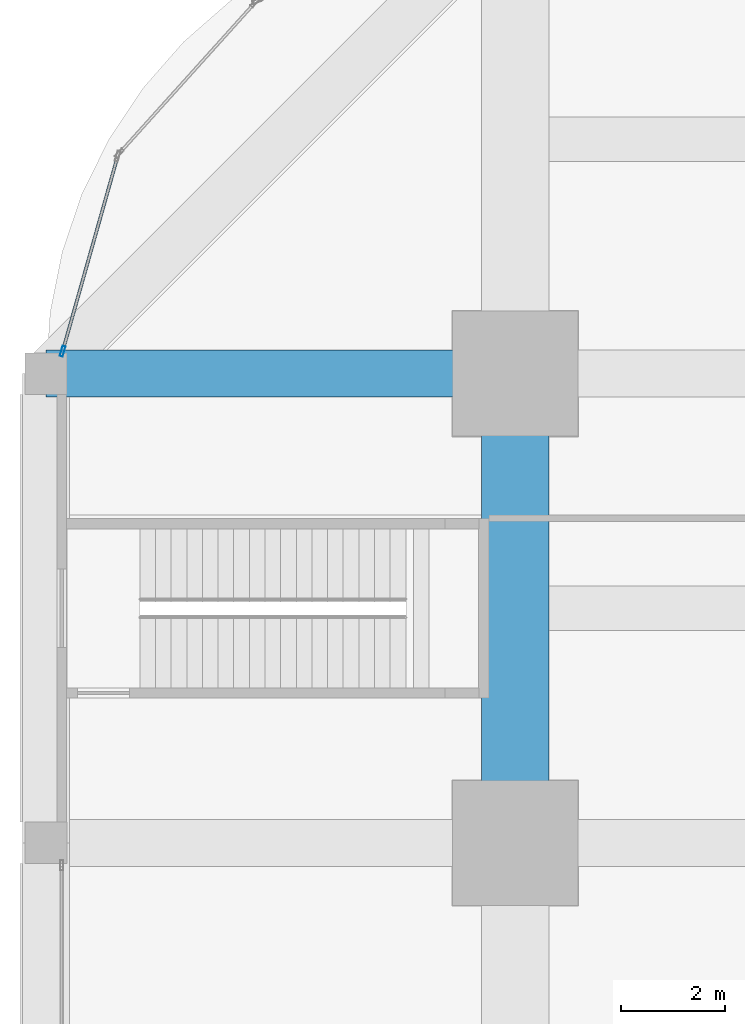
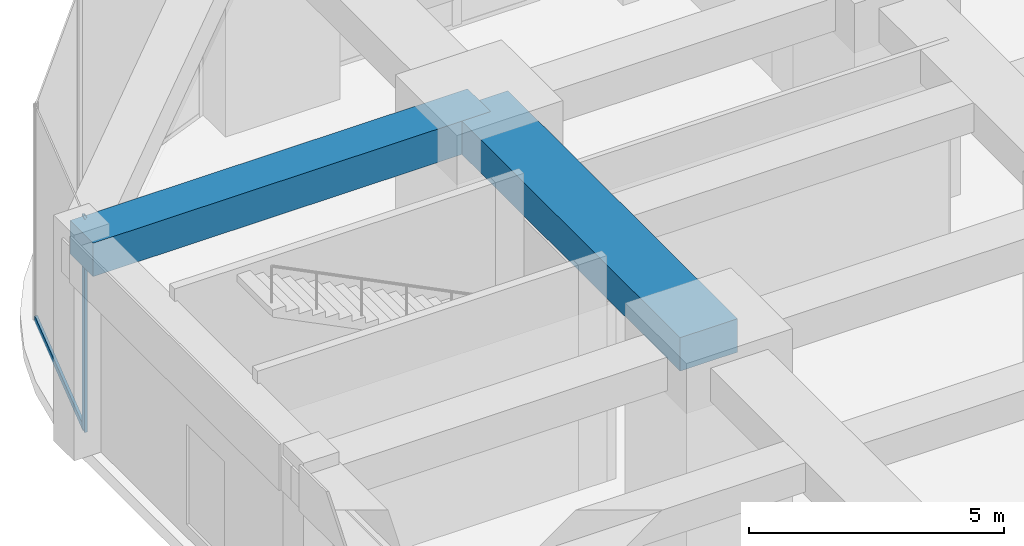
# One storey, part 20 of 45: 2 beams, 2 members, 1 element without a shape of its own.
"""IFC4 building model written with IfcOpenShell, lengths in metres."""

from ifc_helpers import new_model, si_unit, direction, frame, origin, origin_2d, place, context, subcontext, project, spatial, rectangle, hollow_rectangle, extrude, material, material_profile, profile_set, type_object, element, aggregate, save


model = new_model("IFC4")

# Units and contexts
model_context = context("Model", 3, precision=1e-05, world=origin(), true_north=direction((0.0, 1.0)))
body_context = subcontext(model_context, "Body", "Model", "MODEL_VIEW")
ifc_project = project(units=[si_unit("LENGTHUNIT", "METRE"), si_unit("AREAUNIT", "SQUARE_METRE"), si_unit("VOLUMEUNIT", "CUBIC_METRE"), si_unit("PLANEANGLEUNIT", "RADIAN"), si_unit("MASSUNIT", "GRAM", prefix="KILO")], contexts=[model_context])

# Site, building, storey
site_placement = place(None, origin())
site = spatial("IfcSite", under=ifc_project, at=site_placement, CompositionType="ELEMENT")
building_placement = place(site_placement, origin())
building = spatial("IfcBuilding", under=site, at=building_placement, Name="Zorevar Civic Tower", CompositionType="ELEMENT")
storey_placement = place(building_placement, frame((0.0, 0.0, 5.39990234375)))
storey = spatial("IfcBuildingStorey", under=building, at=storey_placement, Name="L01", CompositionType="ELEMENT", Elevation=5.39990234375)

# Beams
ifc_material_1 = material(Name="Concrete C50/60", Category="concrete")
ifc_material_profile_1 = material_profile(ifc_material_1, rectangle(XDim=1.300048828125, YDim=0.800048828125, at=origin_2d()), Name="RC 1300x800")
ifc_profile_set_1 = profile_set([ifc_material_profile_1], Name="Concrete C50/60")
beam_type_1 = type_object("IfcBeamType", Name="Beam RC 1300x800", PredefinedType="BEAM", material=ifc_profile_set_1)
beam_1_placement = place(storey_placement, frame((0.0, 36.0, 4.7001953125), z_axis=(0.0, 1.0, 0.0), x_axis=(-1.0, 0.0, 0.0)))
element("IfcBeam", 1, at=beam_1_placement, inside=storey, type_object=beam_type_1, Name="Girder L02", PredefinedType="BEAM", context=body_context, shape_type="SweptSolid", body=[
    extrude(rectangle(XDim=1.300048828125, YDim=0.800048828125, at=origin_2d()), origin(), (0.0, 0.0, 1.0), 9.0),
])
ifc_material_2 = material(Name="Concrete C50/60", Category="concrete")
ifc_material_profile_2 = material_profile(ifc_material_2, rectangle(XDim=0.89990234375, YDim=0.800048828125, at=origin_2d()), Name="RC 900x800")
ifc_profile_set_2 = profile_set([ifc_material_profile_2], Name="Concrete C50/60")
beam_type_2 = type_object("IfcBeamType", Name="Beam RC 900x800", PredefinedType="BEAM", material=ifc_profile_set_2)
beam_2_placement = place(storey_placement, frame((-9.0, 45.0, 4.7001953125), z_axis=(1.0, 0.0, 0.0), x_axis=(0.0, 1.0, 0.0)))
element("IfcBeam", 2, at=beam_2_placement, inside=storey, type_object=beam_type_2, Name="Girder L02", PredefinedType="BEAM", context=body_context, shape_type="SweptSolid", body=[
    extrude(rectangle(XDim=0.89990234375, YDim=0.800048828125, at=origin_2d()), origin(), (0.0, 0.0, 1.0), 9.0),
])

# Curtain wall, members
ifc_material_3 = material(Name="Dark grey solar-control glass in black aluminium frame", Category="aluminium")
curtain_wall_type = type_object("IfcCurtainWallType", Name="Curtain wall CW1 podium", PredefinedType="NOTDEFINED", material=ifc_material_3)
curtain_wall_placement = place(storey_placement, origin())
curtain_wall = element("IfcCurtainWall", 3, at=curtain_wall_placement, inside=storey, type_object=curtain_wall_type, Name="CW1 L01", PredefinedType="NOTDEFINED")
ifc_material_4 = material(Name="Aluminium, black anodised", Category="aluminium")
ifc_material_profile_3 = material_profile(ifc_material_4, hollow_rectangle(XDim=0.06005859375, YDim=0.199951171875, WallThickness=0.00390625, at=origin_2d()), Name="AL 200x60x4")
ifc_profile_set_3 = profile_set([ifc_material_profile_3], Name="Aluminium, black anodised")
member_type_1 = type_object("IfcMemberType", Name="CW1 mullion AL 200x60x4", PredefinedType="MULLION", material=ifc_profile_set_3)
member_1_placement = place(storey_placement, frame((-8.6826171875, 45.428955078125, 0.0), z_axis=(0.0, 0.0, 1.0), x_axis=(0.962390725943, -0.271669082929, 0.0)))
member_1 = element("IfcMember", 4, at=member_1_placement, type_object=member_type_1, Name="CW1 mullion 2", PredefinedType="MULLION", context=body_context, shape_type="SweptSolid", body=[
    extrude(hollow_rectangle(XDim=0.06005859375, YDim=0.199951171875, WallThickness=0.00390625, at=origin_2d()), origin(), (0.0, 0.0, 1.0), 5.10009765625),
])
ifc_material_5 = material(Name="Aluminium, black anodised", Category="aluminium")
ifc_material_profile_4 = material_profile(ifc_material_5, hollow_rectangle(XDim=0.06005859375, YDim=0.14990234375, WallThickness=0.00390625, at=origin_2d()), Name="AL 150x60x4")
ifc_profile_set_4 = profile_set([ifc_material_profile_4], Name="Aluminium, black anodised")
member_type_2 = type_object("IfcMemberType", Name="CW1 transom AL 150x60x4", PredefinedType="USERDEFINED", material=ifc_profile_set_4)
member_2_placement = place(storey_placement, frame((-7.63330078125, 49.145751953125, 0.030029296875), z_axis=(-0.271656874729, -0.962394172059, 0.0), x_axis=(0.962394172059, -0.271656874729, 0.0)))
member_2 = element("IfcMember", 5, at=member_2_placement, type_object=member_type_2, Name="CW1 sill transom", ObjectType="TRANSOM", PredefinedType="USERDEFINED", context=body_context, shape_type="SweptSolid", body=[
    extrude(hollow_rectangle(XDim=0.06005859375, YDim=0.14990234375, WallThickness=0.00390625, at=origin_2d()), origin(), (0.0, 0.0, 1.0), 3.83203125),
])
aggregate(curtain_wall, [member_1, member_2])

save(model, "model.ifc")
